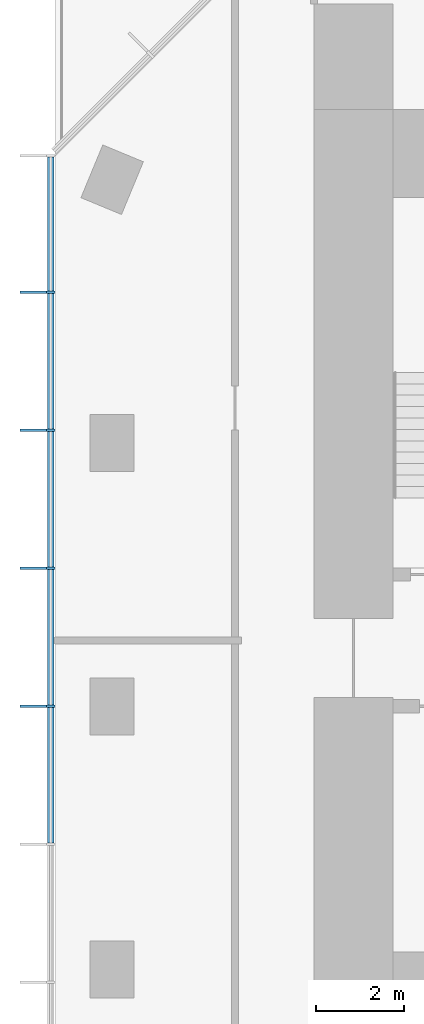
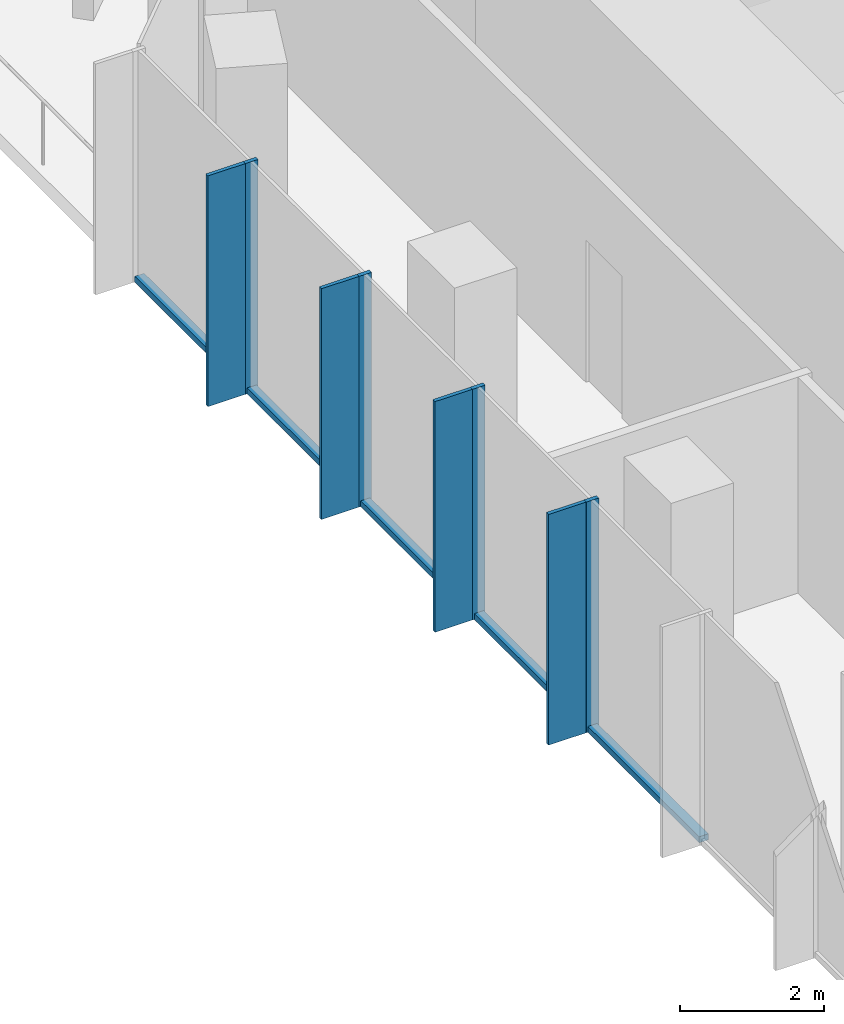
# One storey, part 3 of 11: 13 members, 1 element without a shape of its own.
"""IFC4 building model written with IfcOpenShell, lengths in metres."""

from ifc_helpers import new_model, si_unit, direction, frame, origin, origin_2d, place, context, subcontext, project, spatial, rectangle, extrude, material, layer, layer_set, material_profile, profile_set, type_object, element, aggregate, save


model = new_model("IFC4")

# Units and contexts
model_context = context("Model", 3, precision=1e-05, world=origin(), true_north=direction((0.0, 1.0)))
body_context = subcontext(model_context, "Body", "Model", "MODEL_VIEW")
ifc_project = project(units=[si_unit("LENGTHUNIT", "METRE"), si_unit("AREAUNIT", "SQUARE_METRE"), si_unit("VOLUMEUNIT", "CUBIC_METRE"), si_unit("PLANEANGLEUNIT", "RADIAN"), si_unit("MASSUNIT", "GRAM", prefix="KILO")], contexts=[model_context])

# Site, building, storey
site_placement = place(None, origin())
site = spatial("IfcSite", under=ifc_project, at=site_placement, CompositionType="ELEMENT")
building_placement = place(site_placement, origin())
building = spatial("IfcBuilding", under=site, at=building_placement, Name="Highveld Stack Headquarters", CompositionType="ELEMENT")
storey_placement = place(building_placement, frame((0.0, 0.0, 268.39990234375)))
storey = spatial("IfcBuildingStorey", under=building, at=storey_placement, Name="L66", CompositionType="ELEMENT", Elevation=268.39990234375)

# Curtain wall, members
ifc_material_1 = material(Name="Aluminium bronze anodised", Category="aluminium")
ifc_layer = layer(ifc_material_1, 0.199951171875)
ifc_layer_set = layer_set([ifc_layer], Name="Aluminium bronze anodised")
curtain_wall_type = type_object("IfcCurtainWallType", Name="CW5 EXECUTIVE UNITISED CURTAIN WALL", PredefinedType="NOTDEFINED", material=ifc_layer_set)
curtain_wall_placement = place(storey_placement, origin())
curtain_wall = element("IfcCurtainWall", 1, at=curtain_wall_placement, inside=storey, type_object=curtain_wall_type, Name="Curtain wall CW5 L66 W", PredefinedType="NOTDEFINED")
ifc_material_2 = material(Name="Aluminium bronze anodised", Category="aluminium")
ifc_material_profile_1 = material_profile(ifc_material_2, rectangle(XDim=0.60009765625, YDim=0.06005859375, at=origin_2d()), Name="FIN 600x60")
ifc_profile_set_1 = profile_set([ifc_material_profile_1], Name="Aluminium bronze anodised")
member_type_1 = type_object("IfcMemberType", Name="CW5 BRONZE FIN 600x60", PredefinedType="USERDEFINED", material=ifc_profile_set_1)
member_1_placement = place(storey_placement, frame((-13.800048828125, 9.434814453125, 0.0), z_axis=(0.0, 0.0, 1.0), x_axis=(1.0, 0.0, 0.0)))
member_1 = element("IfcMember", 2, at=member_1_placement, type_object=member_type_1, Name="CW5 fin L66 2", ObjectType="FIN", PredefinedType="USERDEFINED", context=body_context, shape_type="SweptSolid", body=[
    extrude(rectangle(XDim=0.60009765625, YDim=0.06005859375, at=origin_2d()), origin(), (0.0, 0.0, 1.0), 3.900146484375),
])
member_2_placement = place(storey_placement, frame((-13.800048828125, 6.2900390625, 0.0), z_axis=(0.0, 0.0, 1.0), x_axis=(1.0, 0.0, 0.0)))
member_2 = element("IfcMember", 3, at=member_2_placement, type_object=member_type_1, Name="CW5 fin L66 3", ObjectType="FIN", PredefinedType="USERDEFINED", context=body_context, shape_type="SweptSolid", body=[
    extrude(rectangle(XDim=0.60009765625, YDim=0.06005859375, at=origin_2d()), origin(), (0.0, 0.0, 1.0), 3.900146484375),
])
member_3_placement = place(storey_placement, frame((-13.800048828125, 3.14501953125, 0.0), z_axis=(0.0, 0.0, 1.0), x_axis=(1.0, 0.0, 0.0)))
member_3 = element("IfcMember", 4, at=member_3_placement, type_object=member_type_1, Name="CW5 fin L66 4", ObjectType="FIN", PredefinedType="USERDEFINED", context=body_context, shape_type="SweptSolid", body=[
    extrude(rectangle(XDim=0.60009765625, YDim=0.06005859375, at=origin_2d()), origin(), (0.0, 0.0, 1.0), 3.900146484375),
])
member_4_placement = place(storey_placement, frame((-13.800048828125, 0.0, 0.0), z_axis=(0.0, 0.0, 1.0), x_axis=(1.0, 0.0, 0.0)))
member_4 = element("IfcMember", 5, at=member_4_placement, type_object=member_type_1, Name="CW5 fin L66 5", ObjectType="FIN", PredefinedType="USERDEFINED", context=body_context, shape_type="SweptSolid", body=[
    extrude(rectangle(XDim=0.60009765625, YDim=0.06005859375, at=origin_2d()), origin(), (0.0, 0.0, 1.0), 3.900146484375),
])
ifc_material_3 = material(Name="Aluminium bronze anodised", Category="aluminium")
ifc_material_profile_2 = material_profile(ifc_material_3, rectangle(XDim=0.199951171875, YDim=0.06494140625, at=origin_2d()), Name="CW5 MULLION 65x200")
ifc_profile_set_2 = profile_set([ifc_material_profile_2], Name="Aluminium bronze anodised")
member_type_2 = type_object("IfcMemberType", Name="CW5 MULLION 65x200", PredefinedType="MULLION", material=ifc_profile_set_2)
member_5_placement = place(storey_placement, frame((-13.39990234375, 9.434814453125, 0.0), z_axis=(0.0, 0.0, 1.0), x_axis=(1.0, 0.0, 0.0)))
member_5 = element("IfcMember", 6, at=member_5_placement, type_object=member_type_2, Name="CW5 mullion L66 2", PredefinedType="MULLION", context=body_context, shape_type="SweptSolid", body=[
    extrude(rectangle(XDim=0.199951171875, YDim=0.06494140625, at=origin_2d()), origin(), (0.0, 0.0, 1.0), 3.900146484375),
])
member_6_placement = place(storey_placement, frame((-13.39990234375, 6.2900390625, 0.0), z_axis=(0.0, 0.0, 1.0), x_axis=(1.0, 0.0, 0.0)))
member_6 = element("IfcMember", 7, at=member_6_placement, type_object=member_type_2, Name="CW5 mullion L66 3", PredefinedType="MULLION", context=body_context, shape_type="SweptSolid", body=[
    extrude(rectangle(XDim=0.199951171875, YDim=0.06494140625, at=origin_2d()), origin(), (0.0, 0.0, 1.0), 3.900146484375),
])
member_7_placement = place(storey_placement, frame((-13.39990234375, 3.14501953125, 0.0), z_axis=(0.0, 0.0, 1.0), x_axis=(1.0, 0.0, 0.0)))
member_7 = element("IfcMember", 8, at=member_7_placement, type_object=member_type_2, Name="CW5 mullion L66 4", PredefinedType="MULLION", context=body_context, shape_type="SweptSolid", body=[
    extrude(rectangle(XDim=0.199951171875, YDim=0.06494140625, at=origin_2d()), origin(), (0.0, 0.0, 1.0), 3.900146484375),
])
member_8_placement = place(storey_placement, frame((-13.39990234375, 0.0, 0.0), z_axis=(0.0, 0.0, 1.0), x_axis=(1.0, 0.0, 0.0)))
member_8 = element("IfcMember", 9, at=member_8_placement, type_object=member_type_2, Name="CW5 mullion L66 5", PredefinedType="MULLION", context=body_context, shape_type="SweptSolid", body=[
    extrude(rectangle(XDim=0.199951171875, YDim=0.06494140625, at=origin_2d()), origin(), (0.0, 0.0, 1.0), 3.900146484375),
])
ifc_material_4 = material(Name="Aluminium bronze anodised", Category="aluminium")
ifc_material_profile_3 = material_profile(ifc_material_4, rectangle(XDim=0.14990234375, YDim=0.10009765625, at=origin_2d()), Name="CW5 TRANSOM 150x100")
ifc_profile_set_3 = profile_set([ifc_material_profile_3], Name="Aluminium bronze anodised")
member_type_3 = type_object("IfcMemberType", Name="CW5 STACK TRANSOM 150x100", PredefinedType="USERDEFINED", material=ifc_profile_set_3)
member_9_placement = place(storey_placement, frame((-13.39990234375, 12.514892578125, 0.050048828125), z_axis=(0.0, -1.0, 0.0), x_axis=(1.0, 0.0, 0.0)))
member_9 = element("IfcMember", 10, at=member_9_placement, type_object=member_type_3, Name="CW5 transom L66 1.1", ObjectType="TRANSOM", PredefinedType="USERDEFINED", context=body_context, shape_type="SweptSolid", body=[
    extrude(rectangle(XDim=0.14990234375, YDim=0.10009765625, at=origin_2d()), origin(), (0.0, 0.0, 1.0), 3.047607421875),
])
member_10_placement = place(storey_placement, frame((-13.39990234375, 9.40234375, 0.050048828125), z_axis=(0.0, -1.0, 0.0), x_axis=(1.0, 0.0, 0.0)))
member_10 = element("IfcMember", 11, at=member_10_placement, type_object=member_type_3, Name="CW5 transom L66 2.1", ObjectType="TRANSOM", PredefinedType="USERDEFINED", context=body_context, shape_type="SweptSolid", body=[
    extrude(rectangle(XDim=0.14990234375, YDim=0.10009765625, at=origin_2d()), origin(), (0.0, 0.0, 1.0), 3.079833984375),
])
member_11_placement = place(storey_placement, frame((-13.39990234375, 6.257568359375, 0.050048828125), z_axis=(0.0, -1.0, 0.0), x_axis=(1.0, 0.0, 0.0)))
member_11 = element("IfcMember", 12, at=member_11_placement, type_object=member_type_3, Name="CW5 transom L66 3.1", ObjectType="TRANSOM", PredefinedType="USERDEFINED", context=body_context, shape_type="SweptSolid", body=[
    extrude(rectangle(XDim=0.14990234375, YDim=0.10009765625, at=origin_2d()), origin(), (0.0, 0.0, 1.0), 3.080078125),
])
member_12_placement = place(storey_placement, frame((-13.39990234375, 3.112548828125, 0.050048828125), z_axis=(0.0, -1.0, 0.0), x_axis=(1.0, 0.0, 0.0)))
member_12 = element("IfcMember", 13, at=member_12_placement, type_object=member_type_3, Name="CW5 transom L66 4.1", ObjectType="TRANSOM", PredefinedType="USERDEFINED", context=body_context, shape_type="SweptSolid", body=[
    extrude(rectangle(XDim=0.14990234375, YDim=0.10009765625, at=origin_2d()), origin(), (0.0, 0.0, 1.0), 3.080078125),
])
member_13_placement = place(storey_placement, frame((-13.39990234375, -0.032470703125, 0.050048828125), z_axis=(0.0, -1.0, 0.0), x_axis=(1.0, 0.0, 0.0)))
member_13 = element("IfcMember", 14, at=member_13_placement, type_object=member_type_3, Name="CW5 transom L66 5.1", ObjectType="TRANSOM", PredefinedType="USERDEFINED", context=body_context, shape_type="SweptSolid", body=[
    extrude(rectangle(XDim=0.14990234375, YDim=0.10009765625, at=origin_2d()), origin(), (0.0, 0.0, 1.0), 3.080078125),
])
aggregate(curtain_wall, [member_5, member_1, member_6, member_2, member_7, member_3, member_8, member_4, member_9, member_10, member_11, member_12, member_13])

save(model, "model.ifc")
